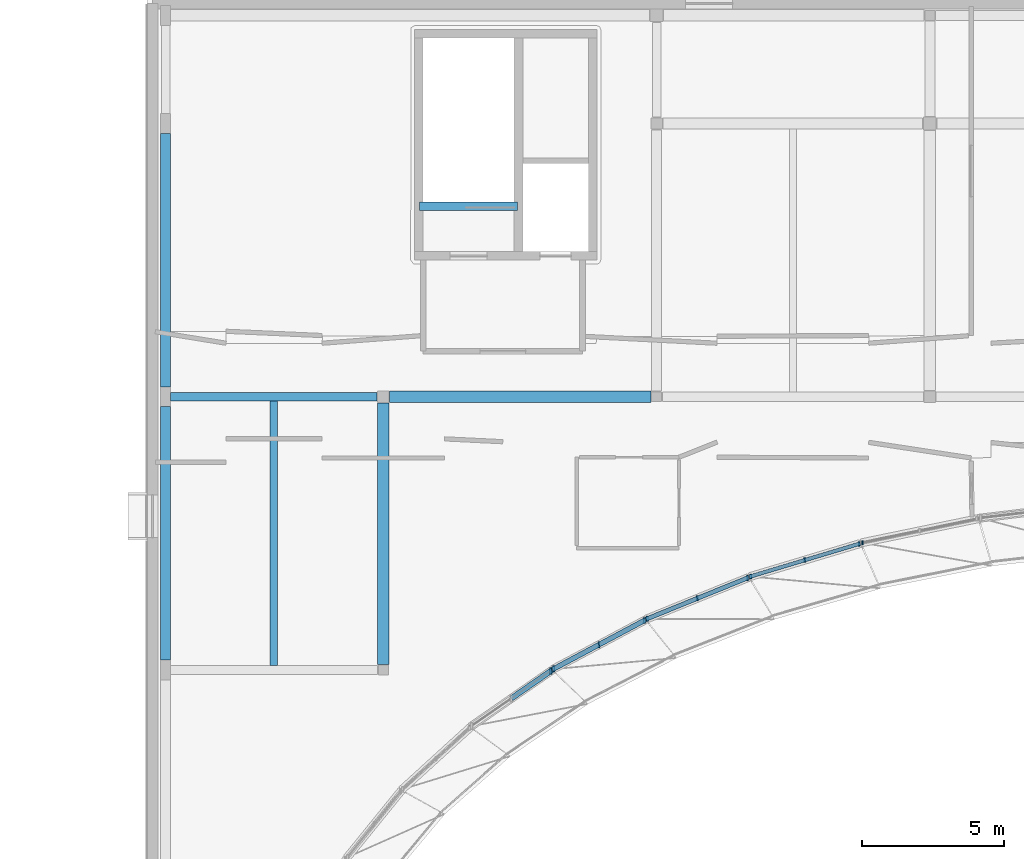
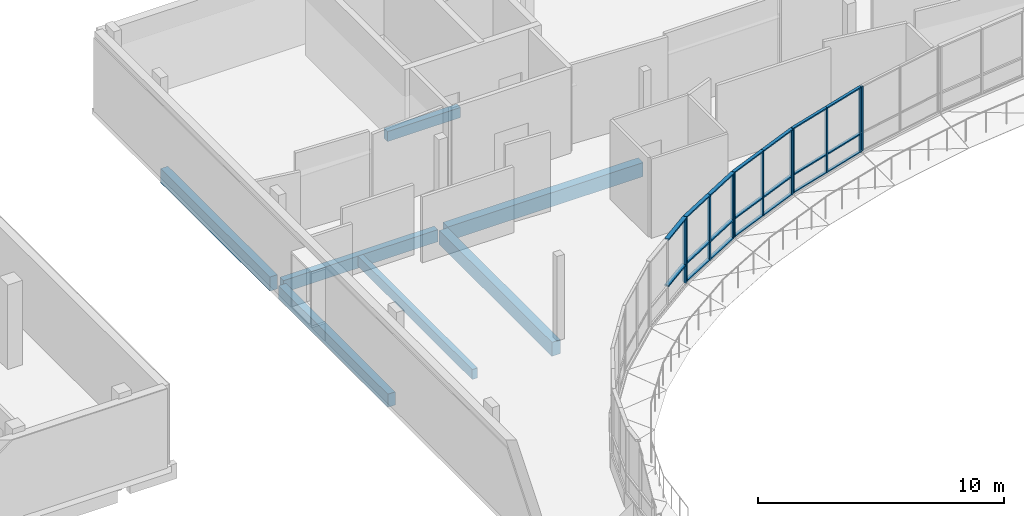
# One storey, part 3 of 18: 31 members, 7 beams, 5 elements without a shape of their own.
"""IFC4 building model written with IfcOpenShell, lengths in metres."""

from ifc_helpers import new_model, si_unit, direction, frame, origin, origin_2d, place, context, subcontext, project, spatial, rectangle, extrude, material, material_profile, profile_set, type_object, element, aggregate, save


model = new_model("IFC4")

# Units and contexts
model_context = context("Model", 3, precision=1e-05, world=origin(), true_north=direction((0.0, 1.0)))
body_context = subcontext(model_context, "Body", "Model", "MODEL_VIEW")
ifc_project = project(units=[si_unit("LENGTHUNIT", "METRE"), si_unit("AREAUNIT", "SQUARE_METRE"), si_unit("VOLUMEUNIT", "CUBIC_METRE"), si_unit("PLANEANGLEUNIT", "RADIAN"), si_unit("MASSUNIT", "GRAM", prefix="KILO")], contexts=[model_context])

# Site, building, storey
site_placement = place(None, origin())
site = spatial("IfcSite", under=ifc_project, at=site_placement, CompositionType="ELEMENT")
building_placement = place(site_placement, origin())
building = spatial("IfcBuilding", under=site, at=building_placement, Name="Mzevani Central Library", CompositionType="ELEMENT")
storey_placement = place(building_placement, frame((0.0, 0.0, 18.300048828125)))
storey = spatial("IfcBuildingStorey", under=building, at=storey_placement, Name="L04", CompositionType="ELEMENT", Elevation=18.300048828125)

# Beams
ifc_material_1 = material(Name="Concrete C35/45", Category="concrete")
ifc_material_profile_1 = material_profile(ifc_material_1, rectangle(XDim=0.300048828125, YDim=0.5, at=origin_2d()), Name="RC B300x500")
ifc_profile_set_1 = profile_set([ifc_material_profile_1], Name="Concrete C35/45")
beam_type_1 = type_object("IfcBeamType", Name="Beam RC 300x500", PredefinedType="BEAM", material=ifc_profile_set_1)
beam_1_placement = place(storey_placement, frame((55.679931640625, 106.699951171875, -0.25), z_axis=(1.0, 0.0, 0.0), x_axis=(0.0, 1.0, 0.0)))
element("IfcBeam", 1, at=beam_1_placement, inside=storey, type_object=beam_type_1, Name="L04 Core C3A North-East Firefighting Core Stair Opening Trimmer Beam", PredefinedType="BEAM", context=body_context, shape_type="SweptSolid", body=[
    extrude(rectangle(XDim=0.300048828125, YDim=0.5, at=origin_2d()), origin(), (0.0, 0.0, 1.0), 3.440185546875),
])
ifc_material_profile_2 = material_profile(ifc_material_1, rectangle(XDim=0.300048828125, YDim=0.60009765625, at=origin_2d()), Name="RC B300x600")
ifc_profile_set_2 = profile_set([ifc_material_profile_2], Name="Concrete C35/45")
beam_type_2 = type_object("IfcBeamType", Name="Beam RC 300x600", PredefinedType="BEAM", material=ifc_profile_set_2)
beam_2_placement = place(storey_placement, frame((46.925048828125, 100.0, -0.580078125), z_axis=(1.0, 0.0, 0.0), x_axis=(0.0, 1.0, 0.0)))
element("IfcBeam", 2, at=beam_2_placement, inside=storey, type_object=beam_type_2, Name="L04 V3 Girder B-03 (706)", PredefinedType="BEAM", context=body_context, shape_type="SweptSolid", body=[
    extrude(rectangle(XDim=0.300048828125, YDim=0.60009765625, at=origin_2d()), origin(), (0.0, 0.0, 1.0), 7.25),
])
ifc_material_profile_3 = material_profile(ifc_material_1, rectangle(XDim=0.35009765625, YDim=0.64990234375, at=origin_2d()), Name="RC B350x650")
ifc_profile_set_3 = profile_set([ifc_material_profile_3], Name="Concrete C35/45")
beam_type_3 = type_object("IfcBeamType", Name="Beam RC 350x650", PredefinedType="BEAM", material=ifc_profile_set_3)
beam_3_placement = place(storey_placement, frame((46.75, 90.75, -0.60498046875), z_axis=(0.0, 1.0, 0.0), x_axis=(-1.0, 0.0, 0.0)))
element("IfcBeam", 3, at=beam_3_placement, inside=storey, type_object=beam_type_3, Name="L04 V3 Frame Beam B-05 (732)", PredefinedType="BEAM", context=body_context, shape_type="SweptSolid", body=[
    extrude(rectangle(XDim=0.35009765625, YDim=0.64990234375, at=origin_2d()), origin(), (0.0, 0.0, 1.0), 8.89990234375),
])
ifc_material_profile_4 = material_profile(ifc_material_1, rectangle(XDim=0.35009765625, YDim=0.699951171875, at=origin_2d()), Name="RC B350x700")
ifc_profile_set_4 = profile_set([ifc_material_profile_4], Name="Concrete C35/45")
beam_type_4 = type_object("IfcBeamType", Name="Beam RC 350x700", PredefinedType="BEAM", material=ifc_profile_set_4)
beam_4_placement = place(storey_placement, frame((46.75, 100.35009765625, -0.630126953125), z_axis=(0.0, 1.0, 0.0), x_axis=(-1.0, 0.0, 0.0)))
element("IfcBeam", 4, at=beam_4_placement, inside=storey, type_object=beam_type_4, Name="L04 V3 Frame Beam B-06 (733)", PredefinedType="BEAM", context=body_context, shape_type="SweptSolid", body=[
    extrude(rectangle(XDim=0.35009765625, YDim=0.699951171875, at=origin_2d()), origin(), (0.0, 0.0, 1.0), 8.89990234375),
])
ifc_material_profile_5 = material_profile(ifc_material_1, rectangle(XDim=0.39990234375, YDim=0.699951171875, at=origin_2d()), Name="RC B400x700")
ifc_profile_set_5 = profile_set([ifc_material_profile_5], Name="Concrete C35/45")
beam_type_5 = type_object("IfcBeamType", Name="Beam RC 400x700", PredefinedType="BEAM", material=ifc_profile_set_5)
beam_5_placement = place(storey_placement, frame((54.625, 100.0, -0.630126953125), z_axis=(1.0, 0.0, 0.0), x_axis=(0.0, 1.0, 0.0)))
element("IfcBeam", 5, at=beam_5_placement, inside=storey, type_object=beam_type_5, Name="L04 V3 Girder B-08 (707)", PredefinedType="BEAM", context=body_context, shape_type="SweptSolid", body=[
    extrude(rectangle(XDim=0.39990234375, YDim=0.699951171875, at=origin_2d()), origin(), (0.0, 0.0, 1.0), 9.175048828125),
])
beam_6_placement = place(storey_placement, frame((54.39990234375, 90.60009765625, -0.630126953125), z_axis=(0.0, 1.0, 0.0), x_axis=(-1.0, 0.0, 0.0)))
element("IfcBeam", 6, at=beam_6_placement, inside=storey, type_object=beam_type_5, Name="L04 V3 Frame Beam B-08 (735)", PredefinedType="BEAM", context=body_context, shape_type="SweptSolid", body=[
    extrude(rectangle(XDim=0.39990234375, YDim=0.699951171875, at=origin_2d()), origin(), (0.0, 0.0, 1.0), 9.1748046875),
])

# Curtain wall, member
ifc_material_2 = material(Name="Thermally broken aluminium and Low-E triple glazing", Category="aluminium")
curtain_wall_type_1 = type_object("IfcCurtainWallType", Name="Elliptical Court Unitised Curtain Wall", PredefinedType="NOTDEFINED", material=ifc_material_2)
curtain_wall_1_placement = place(storey_placement, origin())
curtain_wall_1 = element("IfcCurtainWall", 7, at=curtain_wall_1_placement, inside=storey, type_object=curtain_wall_type_1, Name="L04 Elliptical Court Curtain Wall 15", PredefinedType="NOTDEFINED")
ifc_material_3 = material(Name="Thermally broken aluminium AW-6060", Category="aluminium")
ifc_material_profile_6 = material_profile(ifc_material_3, rectangle(XDim=0.06005859375, YDim=0.139892578125, at=origin_2d()), Name="ALU M60x140")
ifc_profile_set_6 = profile_set([ifc_material_profile_6], Name="Thermally broken aluminium AW-6060")
member_type_1 = type_object("IfcMemberType", Name="CW Mullion 60x140", PredefinedType="MULLION", material=ifc_profile_set_6)
member_1_placement = place(storey_placement, frame((71.23681640625, 94.8759765625, 0.719970703125), z_axis=(0.0, 0.0, 1.0), x_axis=(1.0, 0.0, 0.0)))
member_1 = element("IfcMember", 8, at=member_1_placement, type_object=member_type_1, Name="L04 Elliptical Court Curtain Wall 15 Mullion 3", PredefinedType="MULLION", context=body_context, shape_type="SweptSolid", body=[
    extrude(rectangle(XDim=0.06005859375, YDim=0.139892578125, at=origin_2d()), origin(), (0.0, 0.0, 1.0), 3.199951171875),
])
aggregate(curtain_wall_1, [member_1])

# Curtain wall, members
curtain_wall_type_2 = type_object("IfcCurtainWallType", Name="Reading Hall Northlight Curtain Wall", PredefinedType="NOTDEFINED", material=ifc_material_2)
curtain_wall_2_placement = place(storey_placement, origin())
curtain_wall_2 = element("IfcCurtainWall", 9, at=curtain_wall_2_placement, inside=storey, type_object=curtain_wall_type_2, Name="L04 Elliptical Court Curtain Wall 16", PredefinedType="NOTDEFINED")
ifc_material_profile_7 = material_profile(ifc_material_3, rectangle(XDim=0.06005859375, YDim=0.159912109375, at=origin_2d()), Name="ALU M60x160")
ifc_profile_set_7 = profile_set([ifc_material_profile_7], Name="Thermally broken aluminium AW-6060")
member_type_2 = type_object("IfcMemberType", Name="CW Mullion 60x160", PredefinedType="MULLION", material=ifc_profile_set_7)
member_2_placement = place(storey_placement, frame((71.1083984375, 94.830322265625, 0.719970703125), z_axis=(0.0, 0.0, 1.0), x_axis=(1.0, 0.0, 0.0)))
member_2 = element("IfcMember", 10, at=member_2_placement, type_object=member_type_2, Name="L04 Elliptical Court Curtain Wall 16 Mullion 1", PredefinedType="MULLION", context=body_context, shape_type="SweptSolid", body=[
    extrude(rectangle(XDim=0.06005859375, YDim=0.159912109375, at=origin_2d()), origin(), (0.0, 0.0, 1.0), 3.199951171875),
])
member_3_placement = place(storey_placement, frame((69.208984375, 94.260009765625, 0.719970703125), z_axis=(0.0, 0.0, 1.0), x_axis=(1.0, 0.0, 0.0)))
member_3 = element("IfcMember", 11, at=member_3_placement, type_object=member_type_2, Name="L04 Elliptical Court Curtain Wall 16 Mullion 2", PredefinedType="MULLION", context=body_context, shape_type="SweptSolid", body=[
    extrude(rectangle(XDim=0.06005859375, YDim=0.159912109375, at=origin_2d()), origin(), (0.0, 0.0, 1.0), 3.199951171875),
])
member_4_placement = place(storey_placement, frame((67.309326171875, 93.689697265625, 0.719970703125), z_axis=(0.0, 0.0, 1.0), x_axis=(1.0, 0.0, 0.0)))
member_4 = element("IfcMember", 12, at=member_4_placement, type_object=member_type_2, Name="L04 Elliptical Court Curtain Wall 16 Mullion 3", PredefinedType="MULLION", context=body_context, shape_type="SweptSolid", body=[
    extrude(rectangle(XDim=0.06005859375, YDim=0.159912109375, at=origin_2d()), origin(), (0.0, 0.0, 1.0), 3.199951171875),
])

curtain_wall_3_placement = place(storey_placement, origin())
curtain_wall_3 = element("IfcCurtainWall", 13, at=curtain_wall_3_placement, inside=storey, type_object=curtain_wall_type_1, Name="L04 Elliptical Court Curtain Wall 17", PredefinedType="NOTDEFINED")
ifc_material_profile_8 = material_profile(ifc_material_3, rectangle(XDim=0.06005859375, YDim=0.179931640625, at=origin_2d()), Name="ALU M60x180")
ifc_profile_set_8 = profile_set([ifc_material_profile_8], Name="Thermally broken aluminium AW-6060")
member_type_3 = type_object("IfcMemberType", Name="CW Mullion 60x180", PredefinedType="MULLION", material=ifc_profile_set_8)
member_5_placement = place(storey_placement, frame((67.191162109375, 93.633544921875, 0.719970703125), z_axis=(0.0, 0.0, 1.0), x_axis=(1.0, 0.0, 0.0)))
member_5 = element("IfcMember", 14, at=member_5_placement, type_object=member_type_3, Name="L04 Elliptical Court Curtain Wall 17 Mullion 1", PredefinedType="MULLION", context=body_context, shape_type="SweptSolid", body=[
    extrude(rectangle(XDim=0.06005859375, YDim=0.179931640625, at=origin_2d()), origin(), (0.0, 0.0, 1.0), 3.199951171875),
])
member_6_placement = place(storey_placement, frame((65.431884765625, 92.918212890625, 0.719970703125), z_axis=(0.0, 0.0, 1.0), x_axis=(1.0, 0.0, 0.0)))
member_6 = element("IfcMember", 15, at=member_6_placement, type_object=member_type_3, Name="L04 Elliptical Court Curtain Wall 17 Mullion 2", PredefinedType="MULLION", context=body_context, shape_type="SweptSolid", body=[
    extrude(rectangle(XDim=0.06005859375, YDim=0.179931640625, at=origin_2d()), origin(), (0.0, 0.0, 1.0), 3.199951171875),
])
member_7_placement = place(storey_placement, frame((63.6728515625, 92.20263671875, 0.719970703125), z_axis=(0.0, 0.0, 1.0), x_axis=(1.0, 0.0, 0.0)))
member_7 = element("IfcMember", 16, at=member_7_placement, type_object=member_type_3, Name="L04 Elliptical Court Curtain Wall 17 Mullion 3", PredefinedType="MULLION", context=body_context, shape_type="SweptSolid", body=[
    extrude(rectangle(XDim=0.06005859375, YDim=0.179931640625, at=origin_2d()), origin(), (0.0, 0.0, 1.0), 3.199951171875),
])

curtain_wall_4_placement = place(storey_placement, origin())
curtain_wall_4 = element("IfcCurtainWall", 17, at=curtain_wall_4_placement, inside=storey, type_object=curtain_wall_type_1, Name="L04 Elliptical Court Curtain Wall 18", PredefinedType="NOTDEFINED")
ifc_material_profile_9 = material_profile(ifc_material_3, rectangle(XDim=0.06494140625, YDim=0.199951171875, at=origin_2d()), Name="ALU M65x200")
ifc_profile_set_9 = profile_set([ifc_material_profile_9], Name="Thermally broken aluminium AW-6060")
member_type_4 = type_object("IfcMemberType", Name="CW Mullion 65x200", PredefinedType="MULLION", material=ifc_profile_set_9)
member_8_placement = place(storey_placement, frame((63.564208984375, 92.137451171875, 0.719970703125), z_axis=(0.0, 0.0, 1.0), x_axis=(1.0, 0.0, 0.0)))
member_8 = element("IfcMember", 18, at=member_8_placement, type_object=member_type_4, Name="L04 Elliptical Court Curtain Wall 18 Mullion 1", PredefinedType="MULLION", context=body_context, shape_type="SweptSolid", body=[
    extrude(rectangle(XDim=0.06494140625, YDim=0.199951171875, at=origin_2d()), origin(), (0.0, 0.0, 1.0), 3.199951171875),
])
member_9_placement = place(storey_placement, frame((61.975830078125, 91.289306640625, 0.719970703125), z_axis=(0.0, 0.0, 1.0), x_axis=(1.0, 0.0, 0.0)))
member_9 = element("IfcMember", 19, at=member_9_placement, type_object=member_type_4, Name="L04 Elliptical Court Curtain Wall 18 Mullion 2", PredefinedType="MULLION", context=body_context, shape_type="SweptSolid", body=[
    extrude(rectangle(XDim=0.06494140625, YDim=0.199951171875, at=origin_2d()), origin(), (0.0, 0.0, 1.0), 3.199951171875),
])
member_10_placement = place(storey_placement, frame((60.387451171875, 90.441162109375, 0.719970703125), z_axis=(0.0, 0.0, 1.0), x_axis=(1.0, 0.0, 0.0)))
member_10 = element("IfcMember", 20, at=member_10_placement, type_object=member_type_4, Name="L04 Elliptical Court Curtain Wall 18 Mullion 3", PredefinedType="MULLION", context=body_context, shape_type="SweptSolid", body=[
    extrude(rectangle(XDim=0.06494140625, YDim=0.199951171875, at=origin_2d()), origin(), (0.0, 0.0, 1.0), 3.199951171875),
])

# Curtain wall, member
curtain_wall_5_placement = place(storey_placement, origin())
curtain_wall_5 = element("IfcCurtainWall", 21, at=curtain_wall_5_placement, inside=storey, type_object=curtain_wall_type_2, Name="L04 Elliptical Court Curtain Wall 19", PredefinedType="NOTDEFINED")
ifc_material_profile_10 = material_profile(ifc_material_3, rectangle(XDim=0.070068359375, YDim=0.219970703125, at=origin_2d()), Name="ALU M70x220")
ifc_profile_set_10 = profile_set([ifc_material_profile_10], Name="Thermally broken aluminium AW-6060")
member_type_5 = type_object("IfcMemberType", Name="CW Mullion 70x220", PredefinedType="MULLION", material=ifc_profile_set_10)
member_11_placement = place(storey_placement, frame((60.288818359375, 90.367431640625, 0.719970703125), z_axis=(0.0, 0.0, 1.0), x_axis=(1.0, 0.0, 0.0)))
member_11 = element("IfcMember", 22, at=member_11_placement, type_object=member_type_5, Name="L04 Elliptical Court Curtain Wall 19 Mullion 1", PredefinedType="MULLION", context=body_context, shape_type="SweptSolid", body=[
    extrude(rectangle(XDim=0.070068359375, YDim=0.219970703125, at=origin_2d()), origin(), (0.0, 0.0, 1.0), 3.199951171875),
])

# Member
ifc_material_profile_11 = material_profile(ifc_material_3, rectangle(XDim=0.1298828125, YDim=0.06005859375, at=origin_2d()), Name="ALU T60x130")
ifc_profile_set_11 = profile_set([ifc_material_profile_11], Name="Thermally broken aluminium AW-6060")
member_type_6 = type_object("IfcMemberType", Name="CW Transom 60x130", PredefinedType="USERDEFINED", material=ifc_profile_set_11)
member_12_placement = place(storey_placement, frame((71.156494140625, 94.8447265625, 0.719970703125), z_axis=(-0.957763475746, -0.287557167408, 0.0), x_axis=(0.287557167408, -0.957763475746, 0.0)))
member_12 = element("IfcMember", 23, at=member_12_placement, type_object=member_type_6, Name="L04 Elliptical Court Curtain Wall 16 Transom 1", ObjectType="TRANSOM", PredefinedType="USERDEFINED", context=body_context, shape_type="SweptSolid", body=[
    extrude(rectangle(XDim=0.1298828125, YDim=0.06005859375, at=origin_2d()), origin(), (0.0, 0.0, 1.0), 2.033447265625),
])

member_13_placement = place(storey_placement, frame((71.156494140625, 94.8447265625, 1.619873046875), z_axis=(-0.957763475746, -0.287557167408, 0.0), x_axis=(0.287557167408, -0.957763475746, 0.0)))
member_13 = element("IfcMember", 24, at=member_13_placement, type_object=member_type_6, Name="L04 Elliptical Court Curtain Wall 16 Transom 2", ObjectType="TRANSOM", PredefinedType="USERDEFINED", context=body_context, shape_type="SweptSolid", body=[
    extrude(rectangle(XDim=0.1298828125, YDim=0.06005859375, at=origin_2d()), origin(), (0.0, 0.0, 1.0), 2.033447265625),
])

member_14_placement = place(storey_placement, frame((71.156494140625, 94.8447265625, 3.919921875), z_axis=(-0.957763475746, -0.287557167408, 0.0), x_axis=(0.287557167408, -0.957763475746, 0.0)))
member_14 = element("IfcMember", 25, at=member_14_placement, type_object=member_type_6, Name="L04 Elliptical Court Curtain Wall 16 Transom 3", ObjectType="TRANSOM", PredefinedType="USERDEFINED", context=body_context, shape_type="SweptSolid", body=[
    extrude(rectangle(XDim=0.1298828125, YDim=0.06005859375, at=origin_2d()), origin(), (0.0, 0.0, 1.0), 2.033447265625),
])

member_15_placement = place(storey_placement, frame((69.208984375, 94.260009765625, 0.719970703125), z_axis=(-0.957763475746, -0.287557167408, 0.0), x_axis=(0.287557167408, -0.957763475746, 0.0)))
member_15 = element("IfcMember", 26, at=member_15_placement, type_object=member_type_6, Name="L04 Elliptical Court Curtain Wall 16 Transom 4", ObjectType="TRANSOM", PredefinedType="USERDEFINED", context=body_context, shape_type="SweptSolid", body=[
    extrude(rectangle(XDim=0.1298828125, YDim=0.06005859375, at=origin_2d()), origin(), (0.0, 0.0, 1.0), 2.033447265625),
])

member_16_placement = place(storey_placement, frame((69.208984375, 94.260009765625, 1.619873046875), z_axis=(-0.957763475746, -0.287557167408, 0.0), x_axis=(0.287557167408, -0.957763475746, 0.0)))
member_16 = element("IfcMember", 27, at=member_16_placement, type_object=member_type_6, Name="L04 Elliptical Court Curtain Wall 16 Transom 5", ObjectType="TRANSOM", PredefinedType="USERDEFINED", context=body_context, shape_type="SweptSolid", body=[
    extrude(rectangle(XDim=0.1298828125, YDim=0.06005859375, at=origin_2d()), origin(), (0.0, 0.0, 1.0), 2.033447265625),
])

member_17_placement = place(storey_placement, frame((69.208984375, 94.260009765625, 3.919921875), z_axis=(-0.957763475746, -0.287557167408, 0.0), x_axis=(0.287557167408, -0.957763475746, 0.0)))
member_17 = element("IfcMember", 28, at=member_17_placement, type_object=member_type_6, Name="L04 Elliptical Court Curtain Wall 16 Transom 6", ObjectType="TRANSOM", PredefinedType="USERDEFINED", context=body_context, shape_type="SweptSolid", body=[
    extrude(rectangle(XDim=0.1298828125, YDim=0.06005859375, at=origin_2d()), origin(), (0.0, 0.0, 1.0), 2.033447265625),
])

aggregate(curtain_wall_2, [member_2, member_3, member_4, member_12, member_13, member_14, member_15, member_16, member_17])

ifc_material_profile_12 = material_profile(ifc_material_3, rectangle(XDim=0.14990234375, YDim=0.06005859375, at=origin_2d()), Name="ALU T60x150")
ifc_profile_set_12 = profile_set([ifc_material_profile_12], Name="Thermally broken aluminium AW-6060")
member_type_7 = type_object("IfcMemberType", Name="CW Transom 60x150", PredefinedType="USERDEFINED", material=ifc_profile_set_12)
member_18_placement = place(storey_placement, frame((67.2373046875, 93.652587890625, 0.719970703125), z_axis=(-0.926301328869, -0.376783556084, 0.0), x_axis=(0.376783556084, -0.926301328869, 0.0)))
member_18 = element("IfcMember", 29, at=member_18_placement, type_object=member_type_7, Name="L04 Elliptical Court Curtain Wall 17 Transom 1", ObjectType="TRANSOM", PredefinedType="USERDEFINED", context=body_context, shape_type="SweptSolid", body=[
    extrude(rectangle(XDim=0.14990234375, YDim=0.06005859375, at=origin_2d()), origin(), (0.0, 0.0, 1.0), 1.948974609375),
])

member_19_placement = place(storey_placement, frame((67.2373046875, 93.652587890625, 1.619873046875), z_axis=(-0.926301328869, -0.376783556084, 0.0), x_axis=(0.376783556084, -0.926301328869, 0.0)))
member_19 = element("IfcMember", 30, at=member_19_placement, type_object=member_type_7, Name="L04 Elliptical Court Curtain Wall 17 Transom 2", ObjectType="TRANSOM", PredefinedType="USERDEFINED", context=body_context, shape_type="SweptSolid", body=[
    extrude(rectangle(XDim=0.14990234375, YDim=0.06005859375, at=origin_2d()), origin(), (0.0, 0.0, 1.0), 1.948974609375),
])

member_20_placement = place(storey_placement, frame((67.2373046875, 93.652587890625, 3.919921875), z_axis=(-0.926301328869, -0.376783556084, 0.0), x_axis=(0.376783556084, -0.926301328869, 0.0)))
member_20 = element("IfcMember", 31, at=member_20_placement, type_object=member_type_7, Name="L04 Elliptical Court Curtain Wall 17 Transom 3", ObjectType="TRANSOM", PredefinedType="USERDEFINED", context=body_context, shape_type="SweptSolid", body=[
    extrude(rectangle(XDim=0.14990234375, YDim=0.06005859375, at=origin_2d()), origin(), (0.0, 0.0, 1.0), 1.948974609375),
])

member_21_placement = place(storey_placement, frame((65.431884765625, 92.918212890625, 0.719970703125), z_axis=(-0.926257606894, -0.376891026254, 0.0), x_axis=(0.376891026254, -0.926257606894, 0.0)))
member_21 = element("IfcMember", 32, at=member_21_placement, type_object=member_type_7, Name="L04 Elliptical Court Curtain Wall 17 Transom 4", ObjectType="TRANSOM", PredefinedType="USERDEFINED", context=body_context, shape_type="SweptSolid", body=[
    extrude(rectangle(XDim=0.14990234375, YDim=0.06005859375, at=origin_2d()), origin(), (0.0, 0.0, 1.0), 1.94921875),
])

member_22_placement = place(storey_placement, frame((65.431884765625, 92.918212890625, 1.619873046875), z_axis=(-0.926257606894, -0.376891026254, 0.0), x_axis=(0.376891026254, -0.926257606894, 0.0)))
member_22 = element("IfcMember", 33, at=member_22_placement, type_object=member_type_7, Name="L04 Elliptical Court Curtain Wall 17 Transom 5", ObjectType="TRANSOM", PredefinedType="USERDEFINED", context=body_context, shape_type="SweptSolid", body=[
    extrude(rectangle(XDim=0.14990234375, YDim=0.06005859375, at=origin_2d()), origin(), (0.0, 0.0, 1.0), 1.94921875),
])

member_23_placement = place(storey_placement, frame((65.431884765625, 92.918212890625, 3.919921875), z_axis=(-0.926257606894, -0.376891026254, 0.0), x_axis=(0.376891026254, -0.926257606894, 0.0)))
member_23 = element("IfcMember", 34, at=member_23_placement, type_object=member_type_7, Name="L04 Elliptical Court Curtain Wall 17 Transom 6", ObjectType="TRANSOM", PredefinedType="USERDEFINED", context=body_context, shape_type="SweptSolid", body=[
    extrude(rectangle(XDim=0.14990234375, YDim=0.06005859375, at=origin_2d()), origin(), (0.0, 0.0, 1.0), 1.94921875),
])

aggregate(curtain_wall_3, [member_5, member_6, member_7, member_18, member_19, member_20, member_21, member_22, member_23])

ifc_material_profile_13 = material_profile(ifc_material_3, rectangle(XDim=0.169921875, YDim=0.06494140625, at=origin_2d()), Name="ALU T65x170")
ifc_profile_set_13 = profile_set([ifc_material_profile_13], Name="Thermally broken aluminium AW-6060")
member_type_8 = type_object("IfcMemberType", Name="CW Transom 65x170", PredefinedType="USERDEFINED", material=ifc_profile_set_13)
member_24_placement = place(storey_placement, frame((63.6083984375, 92.160888671875, 0.719970703125), z_axis=(-0.882155666932, -0.470957937931, 0.0), x_axis=(0.470957937931, -0.882155666932, 0.0)))
member_24 = element("IfcMember", 35, at=member_24_placement, type_object=member_type_8, Name="L04 Elliptical Court Curtain Wall 18 Transom 1", ObjectType="TRANSOM", PredefinedType="USERDEFINED", context=body_context, shape_type="SweptSolid", body=[
    extrude(rectangle(XDim=0.169921875, YDim=0.06494140625, at=origin_2d()), origin(), (0.0, 0.0, 1.0), 1.8505859375),
])

member_25_placement = place(storey_placement, frame((63.6083984375, 92.160888671875, 1.619873046875), z_axis=(-0.882155666932, -0.470957937931, 0.0), x_axis=(0.470957937931, -0.882155666932, 0.0)))
member_25 = element("IfcMember", 36, at=member_25_placement, type_object=member_type_8, Name="L04 Elliptical Court Curtain Wall 18 Transom 2", ObjectType="TRANSOM", PredefinedType="USERDEFINED", context=body_context, shape_type="SweptSolid", body=[
    extrude(rectangle(XDim=0.169921875, YDim=0.06494140625, at=origin_2d()), origin(), (0.0, 0.0, 1.0), 1.8505859375),
])

member_26_placement = place(storey_placement, frame((63.6083984375, 92.160888671875, 3.919921875), z_axis=(-0.882155666932, -0.470957937931, 0.0), x_axis=(0.470957937931, -0.882155666932, 0.0)))
member_26 = element("IfcMember", 37, at=member_26_placement, type_object=member_type_8, Name="L04 Elliptical Court Curtain Wall 18 Transom 3", ObjectType="TRANSOM", PredefinedType="USERDEFINED", context=body_context, shape_type="SweptSolid", body=[
    extrude(rectangle(XDim=0.169921875, YDim=0.06494140625, at=origin_2d()), origin(), (0.0, 0.0, 1.0), 1.8505859375),
])

member_27_placement = place(storey_placement, frame((61.975830078125, 91.289306640625, 0.719970703125), z_axis=(-0.882155666932, -0.470957937931, 0.0), x_axis=(0.470957937931, -0.882155666932, 0.0)))
member_27 = element("IfcMember", 38, at=member_27_placement, type_object=member_type_8, Name="L04 Elliptical Court Curtain Wall 18 Transom 4", ObjectType="TRANSOM", PredefinedType="USERDEFINED", context=body_context, shape_type="SweptSolid", body=[
    extrude(rectangle(XDim=0.169921875, YDim=0.06494140625, at=origin_2d()), origin(), (0.0, 0.0, 1.0), 1.8505859375),
])

member_28_placement = place(storey_placement, frame((61.975830078125, 91.289306640625, 1.619873046875), z_axis=(-0.882155666932, -0.470957937931, 0.0), x_axis=(0.470957937931, -0.882155666932, 0.0)))
member_28 = element("IfcMember", 39, at=member_28_placement, type_object=member_type_8, Name="L04 Elliptical Court Curtain Wall 18 Transom 5", ObjectType="TRANSOM", PredefinedType="USERDEFINED", context=body_context, shape_type="SweptSolid", body=[
    extrude(rectangle(XDim=0.169921875, YDim=0.06494140625, at=origin_2d()), origin(), (0.0, 0.0, 1.0), 1.8505859375),
])

member_29_placement = place(storey_placement, frame((61.975830078125, 91.289306640625, 3.919921875), z_axis=(-0.882155666932, -0.470957937931, 0.0), x_axis=(0.470957937931, -0.882155666932, 0.0)))
member_29 = element("IfcMember", 40, at=member_29_placement, type_object=member_type_8, Name="L04 Elliptical Court Curtain Wall 18 Transom 6", ObjectType="TRANSOM", PredefinedType="USERDEFINED", context=body_context, shape_type="SweptSolid", body=[
    extrude(rectangle(XDim=0.169921875, YDim=0.06494140625, at=origin_2d()), origin(), (0.0, 0.0, 1.0), 1.8505859375),
])

aggregate(curtain_wall_4, [member_8, member_9, member_10, member_24, member_25, member_26, member_27, member_28, member_29])

ifc_material_profile_14 = material_profile(ifc_material_3, rectangle(XDim=0.18994140625, YDim=0.070068359375, at=origin_2d()), Name="ALU T70x190")
ifc_profile_set_14 = profile_set([ifc_material_profile_14], Name="Thermally broken aluminium AW-6060")
member_type_9 = type_object("IfcMemberType", Name="CW Transom 70x190", PredefinedType="USERDEFINED", material=ifc_profile_set_14)
member_30_placement = place(storey_placement, frame((60.330078125, 90.39599609375, 1.619873046875), z_axis=(-0.821495722065, -0.570214677669, 0.0), x_axis=(0.570214677669, -0.821495722065, 0.0)))
member_30 = element("IfcMember", 41, at=member_30_placement, type_object=member_type_9, Name="L04 Elliptical Court Curtain Wall 19 Transom 2", ObjectType="TRANSOM", PredefinedType="USERDEFINED", context=body_context, shape_type="SweptSolid", body=[
    extrude(rectangle(XDim=0.18994140625, YDim=0.070068359375, at=origin_2d()), origin(), (0.0, 0.0, 1.0), 1.742919921875),
])

member_31_placement = place(storey_placement, frame((60.330078125, 90.39599609375, 3.919921875), z_axis=(-0.821495722065, -0.570214677669, 0.0), x_axis=(0.570214677669, -0.821495722065, 0.0)))
member_31 = element("IfcMember", 42, at=member_31_placement, type_object=member_type_9, Name="L04 Elliptical Court Curtain Wall 19 Transom 3", ObjectType="TRANSOM", PredefinedType="USERDEFINED", context=body_context, shape_type="SweptSolid", body=[
    extrude(rectangle(XDim=0.18994140625, YDim=0.070068359375, at=origin_2d()), origin(), (0.0, 0.0, 1.0), 1.742919921875),
])

aggregate(curtain_wall_5, [member_11, member_30, member_31])

# Beam
ifc_material_profile_15 = material_profile(ifc_material_1, rectangle(XDim=0.25, YDim=0.5, at=origin_2d()), Name="RC J250x500")
ifc_profile_set_15 = profile_set([ifc_material_profile_15], Name="Concrete C35/45")
beam_type_6 = type_object("IfcBeamType", Name="Floor Joist RC 250x500", PredefinedType="JOIST", material=ifc_profile_set_15)
beam_7_placement = place(storey_placement, frame((50.550048828125, 90.550048828125, -0.530029296875), z_axis=(0.0, 1.0, 0.0), x_axis=(-1.0, 0.0, 0.0)))
element("IfcBeam", 43, at=beam_7_placement, inside=storey, type_object=beam_type_6, Name="L04 V3 Floor Joist BJ-02 (757)", PredefinedType="JOIST", context=body_context, shape_type="SweptSolid", body=[
    extrude(rectangle(XDim=0.25, YDim=0.5, at=origin_2d()), origin(), (0.0, 0.0, 1.0), 9.300048828125),
])

save(model, "model.ifc")
